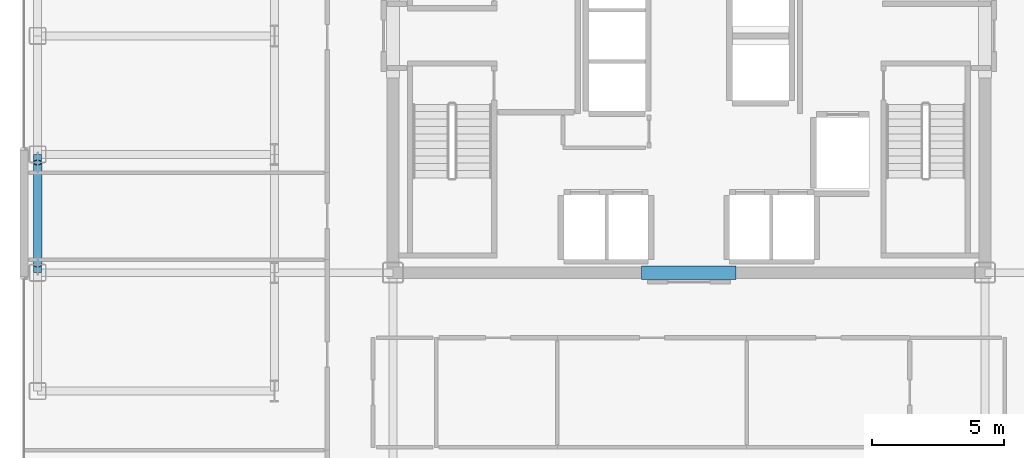
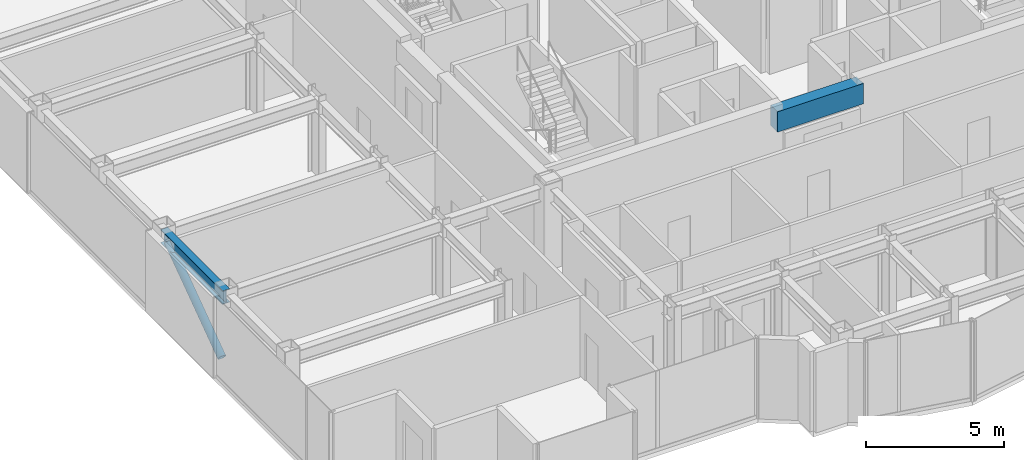
# One storey, part 4 of 21: 2 beams, 1 member.
"""IFC4 building model written with IfcOpenShell, lengths in metres."""

from ifc_helpers import new_model, si_unit, direction, frame, origin, origin_2d, place, context, subcontext, project, spatial, rectangle, hollow_circle, i_section, extrude, source, transform, mapped, material, material_profile, profile_set, type_object, element, save


model = new_model("IFC4")

# Units and contexts
model_context = context("Model", 3, precision=1e-05, world=origin(), true_north=direction((0.0, 1.0)))
body_context = subcontext(model_context, "Body", "Model", "MODEL_VIEW")
ifc_project = project(units=[si_unit("LENGTHUNIT", "METRE"), si_unit("AREAUNIT", "SQUARE_METRE"), si_unit("VOLUMEUNIT", "CUBIC_METRE"), si_unit("PLANEANGLEUNIT", "RADIAN"), si_unit("MASSUNIT", "GRAM", prefix="KILO")], contexts=[model_context])

# Site, building, storey
site_placement = place(None, origin())
site = spatial("IfcSite", under=ifc_project, at=site_placement, CompositionType="ELEMENT")
building_placement = place(site_placement, origin())
building = spatial("IfcBuilding", under=site, at=building_placement, Name="Nefas-Gora Pilgrimage Tower", CompositionType="ELEMENT")
storey_placement = place(building_placement, frame((0.0, 0.0, 229.39990234375)))
storey = spatial("IfcBuildingStorey", under=building, at=storey_placement, Name="L57", CompositionType="ELEMENT", Elevation=229.39990234375)

# Beams
ifc_material_1 = material(Name="Concrete C50/60", Category="concrete")
ifc_material_profile_1 = material_profile(ifc_material_1, rectangle(XDim=0.5, YDim=0.89990234375, at=origin_2d()), Name="RC 500x900")
ifc_profile_set_1 = profile_set([ifc_material_profile_1], Name="Concrete C50/60")
beam_type_1 = type_object("IfcBeamType", Name="BM-LIN-RC900", PredefinedType="LINTEL", material=ifc_profile_set_1)
shared_shape_1 = source(origin(), body_context, "Body", "SweptSolid", [
    extrude(rectangle(XDim=0.5, YDim=0.89990234375, at=origin_2d()), origin(), (0.0, 0.0, 1.0), 3.60009765625),
])
beam_1_placement = place(storey_placement, frame((-1.800048828125, -9.0, 3.10009765625), z_axis=(1.0, 0.0, 0.0), x_axis=(0.0, 1.0, 0.0)))
element("IfcBeam", 1, at=beam_1_placement, inside=storey, type_object=beam_type_1, Name="L57 Core Coupling Lintel Beam S", PredefinedType="LINTEL", context=body_context, shape_type="MappedRepresentation", body=[
    mapped(shared_shape_1, transform((0.0, 0.0, 0.0), x_axis=(1.0, 0.0, 0.0), y_axis=(0.0, 1.0, 0.0), z_axis=(0.0, 0.0, 1.0), scale=1.0)),
])
ifc_material_2 = material(Name="Steel S355", Category="steel")
ifc_material_profile_2 = material_profile(ifc_material_2, i_section(OverallWidth=0.300048828125, OverallDepth=0.60009765625, WebThickness=0.015380859375, FlangeThickness=0.030029296875, FilletRadius=0.027099609375, at=origin_2d()), Name="HEB 600")
ifc_profile_set_2 = profile_set([ifc_material_profile_2], Name="Steel S355")
beam_type_2 = type_object("IfcBeamType", Name="BM-SPN-HEB450", PredefinedType="SPANDREL", material=ifc_profile_set_2)
shared_shape_2 = source(origin(), body_context, "Body", "SweptSolid", [
    extrude(i_section(OverallWidth=0.300048828125, OverallDepth=0.60009765625, WebThickness=0.015380859375, FlangeThickness=0.030029296875, FilletRadius=0.027099609375, at=origin_2d()), origin(), (0.0, 0.0, 1.0), 4.5),
])
beam_2_placement = place(storey_placement, frame((-24.75, -9.0, 3.25), z_axis=(0.0, 1.0, 0.0), x_axis=(-1.0, 0.0, 0.0)))
element("IfcBeam", 2, at=beam_2_placement, inside=storey, type_object=beam_type_2, Name="L57 SP-03 beam", PredefinedType="SPANDREL", context=body_context, shape_type="MappedRepresentation", body=[
    mapped(shared_shape_2, transform((0.0, 0.0, 0.0), x_axis=(1.0, 0.0, 0.0), y_axis=(0.0, 1.0, 0.0), z_axis=(0.0, 0.0, 1.0), scale=1.0)),
])

# Member
ifc_material_profile_3 = material_profile(ifc_material_2, hollow_circle(Radius=0.161865234375, WallThickness=0.02001953125, at=origin_2d()), Name="CHS 323.9x20")
ifc_profile_set_3 = profile_set([ifc_material_profile_3], Name="Steel S355")
member_type = type_object("IfcMemberType", Name="MEM-TUBE-324", PredefinedType="BRACE", material=ifc_profile_set_3)
shared_shape_3 = source(origin(), body_context, "Body", "SweptSolid", [
    extrude(hollow_circle(Radius=0.161865234375, WallThickness=0.02001953125, at=origin_2d()), origin(), (0.0, 0.0, 1.0), 4.763671875),
])
member_placement = place(storey_placement, frame((-24.75, -8.68701171875, 0.3740234375), z_axis=(0.0, 0.813255312614, 0.581907034246), x_axis=(-1.0, 0.0, 0.0)))
element("IfcMember", 3, at=member_placement, inside=storey, type_object=member_type, Name="L57 Perimeter Tube Diagonal Brace W1", PredefinedType="BRACE", context=body_context, shape_type="MappedRepresentation", body=[
    mapped(shared_shape_3, transform((0.0, 0.0, 0.0), x_axis=(1.0, 0.0, 0.0), y_axis=(0.0, 1.0, 0.0), z_axis=(0.0, 0.0, 1.0), scale=1.0)),
])

save(model, "model.ifc")
